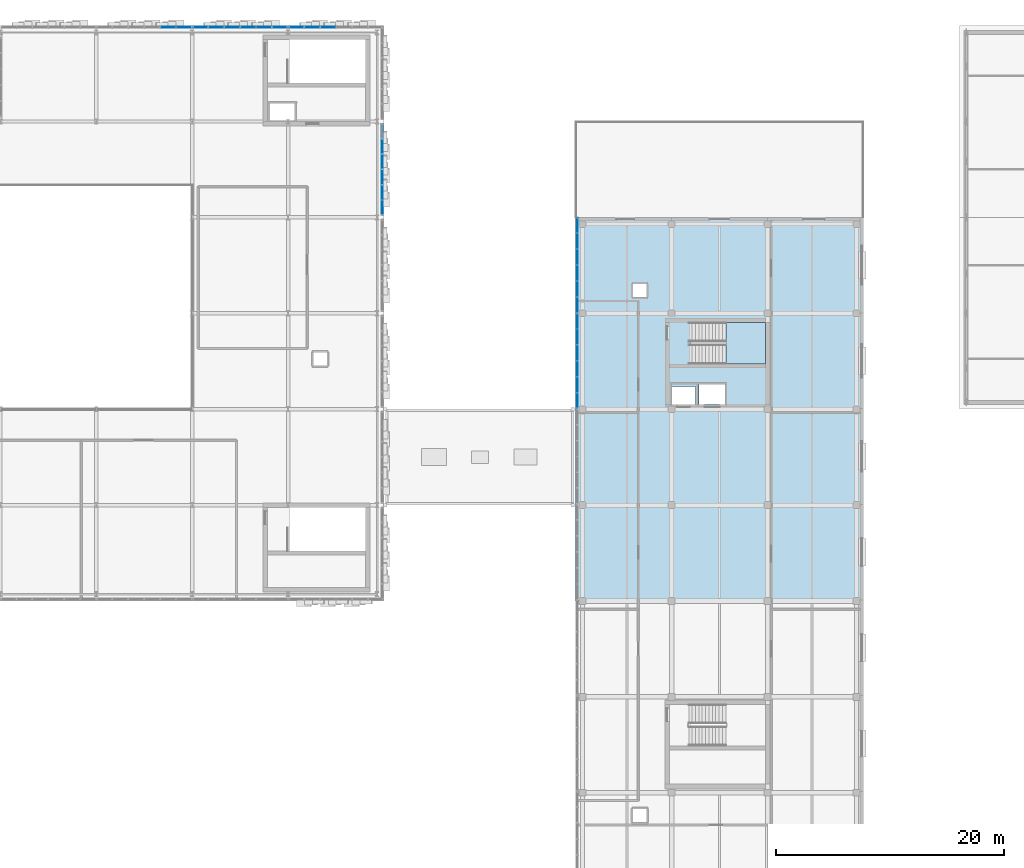
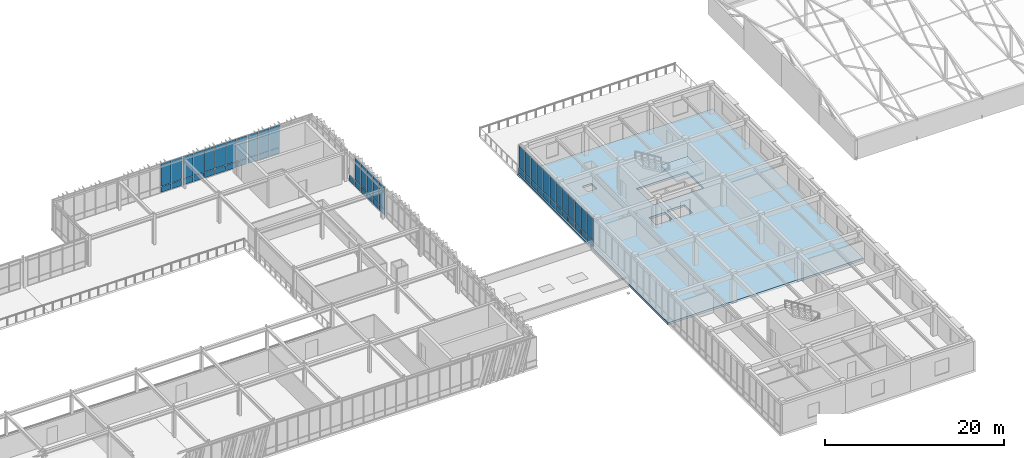
# One storey, part 93 of 123: 57 plates, 2 slabs, 7 elements without a shape of their own.
"""IFC4 building model written with IfcOpenShell, lengths in metres."""

from ifc_helpers import new_model, si_unit, direction, frame, origin, origin_2d, place, context, subcontext, project, spatial, polyline, rectangle, outline, extrude, material, layer, layer_set, type_object, element, aggregate, save


model = new_model("IFC4")

# Units and contexts
model_context = context("Model", 3, precision=1e-05, world=origin(), true_north=direction((0.0, 1.0)))
body_context = subcontext(model_context, "Body", "Model", "MODEL_VIEW")
ifc_project = project(units=[si_unit("LENGTHUNIT", "METRE"), si_unit("AREAUNIT", "SQUARE_METRE"), si_unit("VOLUMEUNIT", "CUBIC_METRE"), si_unit("PLANEANGLEUNIT", "RADIAN"), si_unit("MASSUNIT", "GRAM", prefix="KILO")], contexts=[model_context])

# Site, building, storey
site_placement = place(None, origin())
site = spatial("IfcSite", under=ifc_project, at=site_placement, CompositionType="ELEMENT")
building_placement = place(site_placement, origin())
building = spatial("IfcBuilding", under=site, at=building_placement, Name="Zayran Congress Hotel", CompositionType="ELEMENT")
storey_placement = place(building_placement, frame((0.0, 0.0, 15.0)))
storey = spatial("IfcBuildingStorey", under=building, at=storey_placement, Name="L03", CompositionType="ELEMENT", Elevation=15.0)

# Slab
ifc_material_1 = material(Name="Concrete C32/40", Category="concrete")
ifc_layer_1 = layer(ifc_material_1, 0.280029296875)
ifc_layer_set_1 = layer_set([ifc_layer_1], Name="Concrete C32/40")
slab_type_1 = type_object("IfcSlabType", Name="SL-FL-280", PredefinedType="FLOOR", material=ifc_layer_set_1)
slab_1_placement = place(storey_placement, frame((0.0, 0.0, -0.280029296875)))
element("IfcSlab", 1, at=slab_1_placement, inside=storey, type_object=slab_type_1, Name="SLB-V4-L03-025", PredefinedType="FLOOR", context=body_context, shape_type="SweptSolid", body=[
    extrude(outline(polyline([(109.199951171875, 67.60009765625), (134.39990234375, 67.60009765625), (134.39990234375, 101.199951171875), (109.199951171875, 101.199951171875), (109.199951171875, 67.60009765625)]), holes=[polyline([(119.239990234375, 88.360107421875), (125.800048828125, 88.360107421875), (125.800048828125, 92.0), (119.239990234375, 92.0), (119.239990234375, 88.360107421875)]), polyline([(117.60009765625, 84.800048828125), (119.699951171875, 84.800048828125), (119.699951171875, 86.39990234375), (117.60009765625, 86.39990234375), (117.60009765625, 84.800048828125)]), polyline([(120.0, 84.800048828125), (122.300048828125, 84.800048828125), (122.300048828125, 86.60009765625), (120.0, 86.60009765625), (120.0, 84.800048828125)]), polyline([(114.199951171875, 94.199951171875), (115.419921875, 94.199951171875), (115.419921875, 95.3798828125), (114.199951171875, 95.3798828125), (114.199951171875, 94.199951171875)])]), origin(), (0.0, 0.0, 1.0), 0.280029296875),
])

# Curtain wall, plates
ifc_material_2 = material(Name="Anodised aluminium and low-E insulated glass", Category="aluminium")
ifc_layer_2 = layer(ifc_material_2, 0.179931640625)
ifc_layer_set_2 = layer_set([ifc_layer_2], Name="Anodised aluminium and low-E insulated glass")
curtain_wall_type_1 = type_object("IfcCurtainWallType", Name="CW-V1N-L03-CW-22-8360-3980", PredefinedType="USERDEFINED", material=ifc_layer_set_2)
curtain_wall_1_placement = place(storey_placement, origin())
curtain_wall_1 = element("IfcCurtainWall", 2, at=curtain_wall_1_placement, inside=storey, type_object=curtain_wall_type_1, Name="CW-V1N-L03-7", ObjectType="CURTAIN WALL", PredefinedType="USERDEFINED")
ifc_material_3 = material(Name="Insulated warm bronze aluminium spandrel panel", Category="aluminium")
ifc_layer_3 = layer(ifc_material_3, 0.06005859375)
ifc_layer_set_3 = layer_set([ifc_layer_3], Name="Insulated warm bronze aluminium spandrel panel")
plate_type_1 = type_object("IfcPlateType", Name="CWP-SP-1273-750", PredefinedType="CURTAIN_PANEL", material=ifc_layer_set_3)
plate_1_placement = place(storey_placement, frame((74.86328125, 117.85009765625, 0.06005859375), z_axis=(0.0, 0.0, 1.0), x_axis=(1.0, 0.0, 0.0)))
plate_1 = element("IfcPlate", 3, at=plate_1_placement, type_object=plate_type_1, Name="CW-22 Spandrel Panel 1", PredefinedType="CURTAIN_PANEL", context=body_context, shape_type="SweptSolid", body=[
    extrude(rectangle(XDim=1.273193359375, YDim=0.06005859375, at=origin_2d()), origin(), (0.0, 0.0, 1.0), 0.75),
])
plate_2_placement = place(storey_placement, frame((73.489990234375, 117.85009765625, 0.06005859375), z_axis=(0.0, 0.0, 1.0), x_axis=(1.0, 0.0, 0.0)))
plate_2 = element("IfcPlate", 4, at=plate_2_placement, type_object=plate_type_1, Name="CW-22 Spandrel Panel 2", PredefinedType="CURTAIN_PANEL", context=body_context, shape_type="SweptSolid", body=[
    extrude(rectangle(XDim=1.313232421875, YDim=0.06005859375, at=origin_2d()), origin(), (0.0, 0.0, 1.0), 0.75),
])

ifc_layer_4 = layer(ifc_material_2, 0.179931640625)
ifc_layer_set_4 = layer_set([ifc_layer_4], Name="Anodised aluminium and low-E insulated glass")
curtain_wall_type_2 = type_object("IfcCurtainWallType", Name="CW-V1N-L03-CW-23-8360-3980", PredefinedType="USERDEFINED", material=ifc_layer_set_4)
curtain_wall_2_placement = place(storey_placement, origin())
curtain_wall_2 = element("IfcCurtainWall", 5, at=curtain_wall_2_placement, inside=storey, type_object=curtain_wall_type_2, Name="CW-V1N-L03-8", ObjectType="CURTAIN WALL", PredefinedType="USERDEFINED")
plate_3_placement = place(storey_placement, frame((83.26318359375, 117.85009765625, 0.06005859375), z_axis=(0.0, 0.0, 1.0), x_axis=(1.0, 0.0, 0.0)))
plate_3 = element("IfcPlate", 6, at=plate_3_placement, type_object=plate_type_1, Name="CW-23 Spandrel Panel 1", PredefinedType="CURTAIN_PANEL", context=body_context, shape_type="SweptSolid", body=[
    extrude(rectangle(XDim=1.273193359375, YDim=0.06005859375, at=origin_2d()), origin(), (0.0, 0.0, 1.0), 0.75),
])
plate_4_placement = place(storey_placement, frame((81.889892578125, 117.85009765625, 0.06005859375), z_axis=(0.0, 0.0, 1.0), x_axis=(1.0, 0.0, 0.0)))
plate_4 = element("IfcPlate", 7, at=plate_4_placement, type_object=plate_type_1, Name="CW-23 Spandrel Panel 2", PredefinedType="CURTAIN_PANEL", context=body_context, shape_type="SweptSolid", body=[
    extrude(rectangle(XDim=1.313232421875, YDim=0.06005859375, at=origin_2d()), origin(), (0.0, 0.0, 1.0), 0.75),
])
plate_5_placement = place(storey_placement, frame((80.49658203125, 117.85009765625, 0.06005859375), z_axis=(0.0, 0.0, 1.0), x_axis=(1.0, 0.0, 0.0)))
plate_5 = element("IfcPlate", 8, at=plate_5_placement, type_object=plate_type_1, Name="CW-23 Spandrel Panel 3", PredefinedType="CURTAIN_PANEL", context=body_context, shape_type="SweptSolid", body=[
    extrude(rectangle(XDim=1.313232421875, YDim=0.06005859375, at=origin_2d()), origin(), (0.0, 0.0, 1.0), 0.75),
])
plate_6_placement = place(storey_placement, frame((79.103271484375, 117.85009765625, 0.06005859375), z_axis=(0.0, 0.0, 1.0), x_axis=(1.0, 0.0, 0.0)))
plate_6 = element("IfcPlate", 9, at=plate_6_placement, type_object=plate_type_1, Name="CW-23 Spandrel Panel 4", PredefinedType="CURTAIN_PANEL", context=body_context, shape_type="SweptSolid", body=[
    extrude(rectangle(XDim=1.313232421875, YDim=0.06005859375, at=origin_2d()), origin(), (0.0, 0.0, 1.0), 0.75),
])
plate_7_placement = place(storey_placement, frame((77.7099609375, 117.85009765625, 0.06005859375), z_axis=(0.0, 0.0, 1.0), x_axis=(1.0, 0.0, 0.0)))
plate_7 = element("IfcPlate", 10, at=plate_7_placement, type_object=plate_type_1, Name="CW-23 Spandrel Panel 5", PredefinedType="CURTAIN_PANEL", context=body_context, shape_type="SweptSolid", body=[
    extrude(rectangle(XDim=1.313232421875, YDim=0.06005859375, at=origin_2d()), origin(), (0.0, 0.0, 1.0), 0.75),
])
plate_8_placement = place(storey_placement, frame((76.336669921875, 117.85009765625, 0.06005859375), z_axis=(0.0, 0.0, 1.0), x_axis=(1.0, 0.0, 0.0)))
plate_8 = element("IfcPlate", 11, at=plate_8_placement, type_object=plate_type_1, Name="CW-23 Spandrel Panel 6", PredefinedType="CURTAIN_PANEL", context=body_context, shape_type="SweptSolid", body=[
    extrude(rectangle(XDim=1.273193359375, YDim=0.06005859375, at=origin_2d()), origin(), (0.0, 0.0, 1.0), 0.75),
])

ifc_layer_5 = layer(ifc_material_2, 0.179931640625)
ifc_layer_set_5 = layer_set([ifc_layer_5], Name="Anodised aluminium and low-E insulated glass")
curtain_wall_type_3 = type_object("IfcCurtainWallType", Name="CW-V1N-L03-CW-21-8360-3980", PredefinedType="USERDEFINED", material=ifc_layer_set_5)
curtain_wall_3_placement = place(storey_placement, origin())
curtain_wall_3 = element("IfcCurtainWall", 12, at=curtain_wall_3_placement, inside=storey, type_object=curtain_wall_type_3, Name="CW-V1N-L03-9", ObjectType="CURTAIN WALL", PredefinedType="USERDEFINED")
plate_9_placement = place(storey_placement, frame((87.50341796875, 117.85009765625, 0.06005859375), z_axis=(0.0, 0.0, 1.0), x_axis=(1.0, 0.0, 0.0)))
plate_9 = element("IfcPlate", 13, at=plate_9_placement, type_object=plate_type_1, Name="CW-21 Spandrel Panel 4", PredefinedType="CURTAIN_PANEL", context=body_context, shape_type="SweptSolid", body=[
    extrude(rectangle(XDim=1.313232421875, YDim=0.06005859375, at=origin_2d()), origin(), (0.0, 0.0, 1.0), 0.75),
])
plate_10_placement = place(storey_placement, frame((86.110107421875, 117.85009765625, 0.06005859375), z_axis=(0.0, 0.0, 1.0), x_axis=(1.0, 0.0, 0.0)))
plate_10 = element("IfcPlate", 14, at=plate_10_placement, type_object=plate_type_1, Name="CW-21 Spandrel Panel 5", PredefinedType="CURTAIN_PANEL", context=body_context, shape_type="SweptSolid", body=[
    extrude(rectangle(XDim=1.313232421875, YDim=0.06005859375, at=origin_2d()), origin(), (0.0, 0.0, 1.0), 0.75),
])
plate_11_placement = place(storey_placement, frame((84.73681640625, 117.85009765625, 0.06005859375), z_axis=(0.0, 0.0, 1.0), x_axis=(1.0, 0.0, 0.0)))
plate_11 = element("IfcPlate", 15, at=plate_11_placement, type_object=plate_type_1, Name="CW-21 Spandrel Panel 6", PredefinedType="CURTAIN_PANEL", context=body_context, shape_type="SweptSolid", body=[
    extrude(rectangle(XDim=1.273193359375, YDim=0.06005859375, at=origin_2d()), origin(), (0.0, 0.0, 1.0), 0.75),
])

ifc_layer_6 = layer(ifc_material_2, 0.179931640625)
ifc_layer_set_6 = layer_set([ifc_layer_6], Name="Anodised aluminium and low-E insulated glass")
curtain_wall_type_4 = type_object("IfcCurtainWallType", Name="CW-V1E-L03-CW-41-8040-3980", PredefinedType="USERDEFINED", material=ifc_layer_set_6)
curtain_wall_4_placement = place(storey_placement, origin())
curtain_wall_4 = element("IfcCurtainWall", 16, at=curtain_wall_4_placement, inside=storey, type_object=curtain_wall_type_4, Name="CW-V1E-L03-4", ObjectType="CURTAIN WALL", PredefinedType="USERDEFINED")
ifc_layer_7 = layer(ifc_material_3, 0.06005859375)
ifc_layer_set_7 = layer_set([ifc_layer_7], Name="Insulated warm bronze aluminium spandrel panel")
plate_type_2 = type_object("IfcPlateType", Name="CWP-SP-1220-750", PredefinedType="CURTAIN_PANEL", material=ifc_layer_set_7)
plate_12_placement = place(storey_placement, frame((92.25, 102.070068359375, 0.06005859375), z_axis=(0.0, 0.0, 1.0), x_axis=(0.0, 1.0, 0.0)))
plate_12 = element("IfcPlate", 17, at=plate_12_placement, type_object=plate_type_2, Name="CW-41 Spandrel Panel 1", PredefinedType="CURTAIN_PANEL", context=body_context, shape_type="SweptSolid", body=[
    extrude(rectangle(XDim=1.219970703125, YDim=0.06005859375, at=origin_2d()), origin(), (0.0, 0.0, 1.0), 0.75),
])
plate_13_placement = place(storey_placement, frame((92.25, 103.389892578125, 0.06005859375), z_axis=(0.0, 0.0, 1.0), x_axis=(0.0, 1.0, 0.0)))
plate_13 = element("IfcPlate", 18, at=plate_13_placement, type_object=plate_type_2, Name="CW-41 Spandrel Panel 2", PredefinedType="CURTAIN_PANEL", context=body_context, shape_type="SweptSolid", body=[
    extrude(rectangle(XDim=1.260009765625, YDim=0.06005859375, at=origin_2d()), origin(), (0.0, 0.0, 1.0), 0.75),
])
plate_14_placement = place(storey_placement, frame((92.25, 104.72998046875, 0.06005859375), z_axis=(0.0, 0.0, 1.0), x_axis=(0.0, 1.0, 0.0)))
plate_14 = element("IfcPlate", 19, at=plate_14_placement, type_object=plate_type_2, Name="CW-41 Spandrel Panel 3", PredefinedType="CURTAIN_PANEL", context=body_context, shape_type="SweptSolid", body=[
    extrude(rectangle(XDim=1.260009765625, YDim=0.06005859375, at=origin_2d()), origin(), (0.0, 0.0, 1.0), 0.75),
])
plate_15_placement = place(storey_placement, frame((92.25, 106.070068359375, 0.06005859375), z_axis=(0.0, 0.0, 1.0), x_axis=(0.0, 1.0, 0.0)))
plate_15 = element("IfcPlate", 20, at=plate_15_placement, type_object=plate_type_2, Name="CW-41 Spandrel Panel 4", PredefinedType="CURTAIN_PANEL", context=body_context, shape_type="SweptSolid", body=[
    extrude(rectangle(XDim=1.260009765625, YDim=0.06005859375, at=origin_2d()), origin(), (0.0, 0.0, 1.0), 0.75),
])
plate_16_placement = place(storey_placement, frame((92.25, 107.409912109375, 0.06005859375), z_axis=(0.0, 0.0, 1.0), x_axis=(0.0, 1.0, 0.0)))
plate_16 = element("IfcPlate", 21, at=plate_16_placement, type_object=plate_type_2, Name="CW-41 Spandrel Panel 5", PredefinedType="CURTAIN_PANEL", context=body_context, shape_type="SweptSolid", body=[
    extrude(rectangle(XDim=1.260009765625, YDim=0.06005859375, at=origin_2d()), origin(), (0.0, 0.0, 1.0), 0.75),
])
plate_17_placement = place(storey_placement, frame((92.25, 108.72998046875, 0.06005859375), z_axis=(0.0, 0.0, 1.0), x_axis=(0.0, 1.0, 0.0)))
plate_17 = element("IfcPlate", 22, at=plate_17_placement, type_object=plate_type_2, Name="CW-41 Spandrel Panel 6", PredefinedType="CURTAIN_PANEL", context=body_context, shape_type="SweptSolid", body=[
    extrude(rectangle(XDim=1.219970703125, YDim=0.06005859375, at=origin_2d()), origin(), (0.0, 0.0, 1.0), 0.75),
])

# Plate
ifc_layer_8 = layer(ifc_material_2, 0.028076171875)
ifc_layer_set_8 = layer_set([ifc_layer_8], Name="Anodised aluminium and low-E insulated glass")
plate_type_3 = type_object("IfcPlateType", Name="CWP-GL-1273-3050", PredefinedType="CURTAIN_PANEL", material=ifc_layer_set_8)
plate_18_placement = place(storey_placement, frame((74.86328125, 117.85009765625, 0.8701171875), z_axis=(0.0, 0.0, 1.0), x_axis=(1.0, 0.0, 0.0)))
plate_18 = element("IfcPlate", 23, at=plate_18_placement, type_object=plate_type_3, Name="CW-22 Glazed Panel 1", PredefinedType="CURTAIN_PANEL", context=body_context, shape_type="SweptSolid", body=[
    extrude(rectangle(XDim=1.273193359375, YDim=0.028076171875, at=origin_2d()), origin(), (0.0, 0.0, 1.0), 3.050048828125),
])

plate_19_placement = place(storey_placement, frame((73.489990234375, 117.85009765625, 0.8701171875), z_axis=(0.0, 0.0, 1.0), x_axis=(1.0, 0.0, 0.0)))
plate_19 = element("IfcPlate", 24, at=plate_19_placement, type_object=plate_type_3, Name="CW-22 Glazed Panel 2", PredefinedType="CURTAIN_PANEL", context=body_context, shape_type="SweptSolid", body=[
    extrude(rectangle(XDim=1.313232421875, YDim=0.028076171875, at=origin_2d()), origin(), (0.0, 0.0, 1.0), 3.050048828125),
])

aggregate(curtain_wall_1, [plate_1, plate_18, plate_2, plate_19])

plate_20_placement = place(storey_placement, frame((83.26318359375, 117.85009765625, 0.8701171875), z_axis=(0.0, 0.0, 1.0), x_axis=(1.0, 0.0, 0.0)))
plate_20 = element("IfcPlate", 25, at=plate_20_placement, type_object=plate_type_3, Name="CW-23 Glazed Panel 1", PredefinedType="CURTAIN_PANEL", context=body_context, shape_type="SweptSolid", body=[
    extrude(rectangle(XDim=1.273193359375, YDim=0.028076171875, at=origin_2d()), origin(), (0.0, 0.0, 1.0), 3.050048828125),
])

plate_21_placement = place(storey_placement, frame((81.889892578125, 117.85009765625, 0.8701171875), z_axis=(0.0, 0.0, 1.0), x_axis=(1.0, 0.0, 0.0)))
plate_21 = element("IfcPlate", 26, at=plate_21_placement, type_object=plate_type_3, Name="CW-23 Glazed Panel 2", PredefinedType="CURTAIN_PANEL", context=body_context, shape_type="SweptSolid", body=[
    extrude(rectangle(XDim=1.313232421875, YDim=0.028076171875, at=origin_2d()), origin(), (0.0, 0.0, 1.0), 3.050048828125),
])

plate_22_placement = place(storey_placement, frame((80.49658203125, 117.85009765625, 0.8701171875), z_axis=(0.0, 0.0, 1.0), x_axis=(1.0, 0.0, 0.0)))
plate_22 = element("IfcPlate", 27, at=plate_22_placement, type_object=plate_type_3, Name="CW-23 Glazed Panel 3", PredefinedType="CURTAIN_PANEL", context=body_context, shape_type="SweptSolid", body=[
    extrude(rectangle(XDim=1.313232421875, YDim=0.028076171875, at=origin_2d()), origin(), (0.0, 0.0, 1.0), 3.050048828125),
])

plate_23_placement = place(storey_placement, frame((79.103271484375, 117.85009765625, 0.8701171875), z_axis=(0.0, 0.0, 1.0), x_axis=(1.0, 0.0, 0.0)))
plate_23 = element("IfcPlate", 28, at=plate_23_placement, type_object=plate_type_3, Name="CW-23 Glazed Panel 4", PredefinedType="CURTAIN_PANEL", context=body_context, shape_type="SweptSolid", body=[
    extrude(rectangle(XDim=1.313232421875, YDim=0.028076171875, at=origin_2d()), origin(), (0.0, 0.0, 1.0), 3.050048828125),
])

plate_24_placement = place(storey_placement, frame((77.7099609375, 117.85009765625, 0.8701171875), z_axis=(0.0, 0.0, 1.0), x_axis=(1.0, 0.0, 0.0)))
plate_24 = element("IfcPlate", 29, at=plate_24_placement, type_object=plate_type_3, Name="CW-23 Glazed Panel 5", PredefinedType="CURTAIN_PANEL", context=body_context, shape_type="SweptSolid", body=[
    extrude(rectangle(XDim=1.313232421875, YDim=0.028076171875, at=origin_2d()), origin(), (0.0, 0.0, 1.0), 3.050048828125),
])

plate_25_placement = place(storey_placement, frame((76.336669921875, 117.85009765625, 0.8701171875), z_axis=(0.0, 0.0, 1.0), x_axis=(1.0, 0.0, 0.0)))
plate_25 = element("IfcPlate", 30, at=plate_25_placement, type_object=plate_type_3, Name="CW-23 Glazed Panel 6", PredefinedType="CURTAIN_PANEL", context=body_context, shape_type="SweptSolid", body=[
    extrude(rectangle(XDim=1.273193359375, YDim=0.028076171875, at=origin_2d()), origin(), (0.0, 0.0, 1.0), 3.050048828125),
])

aggregate(curtain_wall_2, [plate_3, plate_20, plate_4, plate_21, plate_5, plate_22, plate_6, plate_23, plate_7, plate_24, plate_8, plate_25])

plate_26_placement = place(storey_placement, frame((87.50341796875, 117.85009765625, 0.8701171875), z_axis=(0.0, 0.0, 1.0), x_axis=(1.0, 0.0, 0.0)))
plate_26 = element("IfcPlate", 31, at=plate_26_placement, type_object=plate_type_3, Name="CW-21 Glazed Panel 4", PredefinedType="CURTAIN_PANEL", context=body_context, shape_type="SweptSolid", body=[
    extrude(rectangle(XDim=1.313232421875, YDim=0.028076171875, at=origin_2d()), origin(), (0.0, 0.0, 1.0), 3.050048828125),
])

plate_27_placement = place(storey_placement, frame((86.110107421875, 117.85009765625, 0.8701171875), z_axis=(0.0, 0.0, 1.0), x_axis=(1.0, 0.0, 0.0)))
plate_27 = element("IfcPlate", 32, at=plate_27_placement, type_object=plate_type_3, Name="CW-21 Glazed Panel 5", PredefinedType="CURTAIN_PANEL", context=body_context, shape_type="SweptSolid", body=[
    extrude(rectangle(XDim=1.313232421875, YDim=0.028076171875, at=origin_2d()), origin(), (0.0, 0.0, 1.0), 3.050048828125),
])

plate_28_placement = place(storey_placement, frame((84.73681640625, 117.85009765625, 0.8701171875), z_axis=(0.0, 0.0, 1.0), x_axis=(1.0, 0.0, 0.0)))
plate_28 = element("IfcPlate", 33, at=plate_28_placement, type_object=plate_type_3, Name="CW-21 Glazed Panel 6", PredefinedType="CURTAIN_PANEL", context=body_context, shape_type="SweptSolid", body=[
    extrude(rectangle(XDim=1.273193359375, YDim=0.028076171875, at=origin_2d()), origin(), (0.0, 0.0, 1.0), 3.050048828125),
])

aggregate(curtain_wall_3, [plate_9, plate_26, plate_10, plate_27, plate_11, plate_28])

ifc_layer_9 = layer(ifc_material_2, 0.028076171875)
ifc_layer_set_9 = layer_set([ifc_layer_9], Name="Anodised aluminium and low-E insulated glass")
plate_type_4 = type_object("IfcPlateType", Name="CWP-GL-1220-3050", PredefinedType="CURTAIN_PANEL", material=ifc_layer_set_9)
plate_29_placement = place(storey_placement, frame((92.25, 102.070068359375, 0.8701171875), z_axis=(0.0, 0.0, 1.0), x_axis=(0.0, 1.0, 0.0)))
plate_29 = element("IfcPlate", 34, at=plate_29_placement, type_object=plate_type_4, Name="CW-41 Glazed Panel 1", PredefinedType="CURTAIN_PANEL", context=body_context, shape_type="SweptSolid", body=[
    extrude(rectangle(XDim=1.219970703125, YDim=0.028076171875, at=origin_2d()), origin(), (0.0, 0.0, 1.0), 3.050048828125),
])

plate_30_placement = place(storey_placement, frame((92.25, 103.389892578125, 0.8701171875), z_axis=(0.0, 0.0, 1.0), x_axis=(0.0, 1.0, 0.0)))
plate_30 = element("IfcPlate", 35, at=plate_30_placement, type_object=plate_type_4, Name="CW-41 Glazed Panel 2", PredefinedType="CURTAIN_PANEL", context=body_context, shape_type="SweptSolid", body=[
    extrude(rectangle(XDim=1.260009765625, YDim=0.028076171875, at=origin_2d()), origin(), (0.0, 0.0, 1.0), 3.050048828125),
])

plate_31_placement = place(storey_placement, frame((92.25, 104.72998046875, 0.8701171875), z_axis=(0.0, 0.0, 1.0), x_axis=(0.0, 1.0, 0.0)))
plate_31 = element("IfcPlate", 36, at=plate_31_placement, type_object=plate_type_4, Name="CW-41 Glazed Panel 3", PredefinedType="CURTAIN_PANEL", context=body_context, shape_type="SweptSolid", body=[
    extrude(rectangle(XDim=1.260009765625, YDim=0.028076171875, at=origin_2d()), origin(), (0.0, 0.0, 1.0), 3.050048828125),
])

plate_32_placement = place(storey_placement, frame((92.25, 106.070068359375, 0.8701171875), z_axis=(0.0, 0.0, 1.0), x_axis=(0.0, 1.0, 0.0)))
plate_32 = element("IfcPlate", 37, at=plate_32_placement, type_object=plate_type_4, Name="CW-41 Glazed Panel 4", PredefinedType="CURTAIN_PANEL", context=body_context, shape_type="SweptSolid", body=[
    extrude(rectangle(XDim=1.260009765625, YDim=0.028076171875, at=origin_2d()), origin(), (0.0, 0.0, 1.0), 3.050048828125),
])

plate_33_placement = place(storey_placement, frame((92.25, 107.409912109375, 0.8701171875), z_axis=(0.0, 0.0, 1.0), x_axis=(0.0, 1.0, 0.0)))
plate_33 = element("IfcPlate", 38, at=plate_33_placement, type_object=plate_type_4, Name="CW-41 Glazed Panel 5", PredefinedType="CURTAIN_PANEL", context=body_context, shape_type="SweptSolid", body=[
    extrude(rectangle(XDim=1.260009765625, YDim=0.028076171875, at=origin_2d()), origin(), (0.0, 0.0, 1.0), 3.050048828125),
])

aggregate(curtain_wall_4, [plate_12, plate_29, plate_13, plate_30, plate_14, plate_31, plate_15, plate_32, plate_16, plate_33, plate_17])

# Curtain wall, plates
ifc_layer_10 = layer(ifc_material_2, 0.179931640625)
ifc_layer_set_10 = layer_set([ifc_layer_10], Name="Anodised aluminium and low-E insulated glass")
curtain_wall_type_5 = type_object("IfcCurtainWallType", Name="CW-V4W-L03-CW-51-8374-3920", PredefinedType="USERDEFINED", material=ifc_layer_set_10)
curtain_wall_5_placement = place(storey_placement, origin())
curtain_wall_5 = element("IfcCurtainWall", 39, at=curtain_wall_5_placement, inside=storey, type_object=curtain_wall_type_5, Name="CW-V4W-L03-6", ObjectType="CURTAIN WALL", PredefinedType="USERDEFINED")
ifc_layer_11 = layer(ifc_material_3, 0.06005859375)
ifc_layer_set_11 = layer_set([ifc_layer_11], Name="Insulated warm bronze aluminium spandrel panel")
plate_type_5 = type_object("IfcPlateType", Name="CWP-SP-1276-750", PredefinedType="CURTAIN_PANEL", material=ifc_layer_set_11)
plate_34_placement = place(storey_placement, frame((109.35009765625, 100.482177734375, 0.06005859375), z_axis=(0.0, 0.0, 1.0), x_axis=(0.0, 1.0, 0.0)))
plate_34 = element("IfcPlate", 40, at=plate_34_placement, type_object=plate_type_5, Name="CW-51 Spandrel Panel 1", PredefinedType="CURTAIN_PANEL", context=body_context, shape_type="SweptSolid", body=[
    extrude(rectangle(XDim=1.275634765625, YDim=0.06005859375, at=origin_2d()), origin(), (0.0, 0.0, 1.0), 0.75),
])
plate_35_placement = place(storey_placement, frame((109.35009765625, 99.1064453125, 0.06005859375), z_axis=(0.0, 0.0, 1.0), x_axis=(0.0, 1.0, 0.0)))
plate_35 = element("IfcPlate", 41, at=plate_35_placement, type_object=plate_type_5, Name="CW-51 Spandrel Panel 2", PredefinedType="CURTAIN_PANEL", context=body_context, shape_type="SweptSolid", body=[
    extrude(rectangle(XDim=1.315673828125, YDim=0.06005859375, at=origin_2d()), origin(), (0.0, 0.0, 1.0), 0.75),
])
plate_36_placement = place(storey_placement, frame((109.35009765625, 97.710693359375, 0.06005859375), z_axis=(0.0, 0.0, 1.0), x_axis=(0.0, 1.0, 0.0)))
plate_36 = element("IfcPlate", 42, at=plate_36_placement, type_object=plate_type_5, Name="CW-51 Spandrel Panel 3", PredefinedType="CURTAIN_PANEL", context=body_context, shape_type="SweptSolid", body=[
    extrude(rectangle(XDim=1.315673828125, YDim=0.06005859375, at=origin_2d()), origin(), (0.0, 0.0, 1.0), 0.75),
])
plate_37_placement = place(storey_placement, frame((109.35009765625, 96.315185546875, 0.06005859375), z_axis=(0.0, 0.0, 1.0), x_axis=(0.0, 1.0, 0.0)))
plate_37 = element("IfcPlate", 43, at=plate_37_placement, type_object=plate_type_5, Name="CW-51 Spandrel Panel 4", PredefinedType="CURTAIN_PANEL", context=body_context, shape_type="SweptSolid", body=[
    extrude(rectangle(XDim=1.315673828125, YDim=0.06005859375, at=origin_2d()), origin(), (0.0, 0.0, 1.0), 0.75),
])
plate_38_placement = place(storey_placement, frame((109.35009765625, 94.91943359375, 0.06005859375), z_axis=(0.0, 0.0, 1.0), x_axis=(0.0, 1.0, 0.0)))
plate_38 = element("IfcPlate", 44, at=plate_38_placement, type_object=plate_type_5, Name="CW-51 Spandrel Panel 5", PredefinedType="CURTAIN_PANEL", context=body_context, shape_type="SweptSolid", body=[
    extrude(rectangle(XDim=1.315673828125, YDim=0.06005859375, at=origin_2d()), origin(), (0.0, 0.0, 1.0), 0.75),
])
plate_39_placement = place(storey_placement, frame((109.35009765625, 93.543701171875, 0.06005859375), z_axis=(0.0, 0.0, 1.0), x_axis=(0.0, 1.0, 0.0)))
plate_39 = element("IfcPlate", 45, at=plate_39_placement, type_object=plate_type_5, Name="CW-51 Spandrel Panel 6", PredefinedType="CURTAIN_PANEL", context=body_context, shape_type="SweptSolid", body=[
    extrude(rectangle(XDim=1.275634765625, YDim=0.06005859375, at=origin_2d()), origin(), (0.0, 0.0, 1.0), 0.75),
])

ifc_layer_12 = layer(ifc_material_2, 0.179931640625)
ifc_layer_set_12 = layer_set([ifc_layer_12], Name="Anodised aluminium and low-E insulated glass")
curtain_wall_type_6 = type_object("IfcCurtainWallType", Name="CW-V4W-L03-CW-53-8368-3920", PredefinedType="USERDEFINED", material=ifc_layer_set_12)
curtain_wall_6_placement = place(storey_placement, origin())
curtain_wall_6 = element("IfcCurtainWall", 46, at=curtain_wall_6_placement, inside=storey, type_object=curtain_wall_type_6, Name="CW-V4W-L03-5", ObjectType="CURTAIN WALL", PredefinedType="USERDEFINED")
ifc_layer_13 = layer(ifc_material_3, 0.06005859375)
ifc_layer_set_13 = layer_set([ifc_layer_13], Name="Insulated warm bronze aluminium spandrel panel")
plate_type_6 = type_object("IfcPlateType", Name="CWP-SP-1275-750", PredefinedType="CURTAIN_PANEL", material=ifc_layer_set_13)
plate_40_placement = place(storey_placement, frame((109.35009765625, 92.0986328125, 0.06005859375), z_axis=(0.0, 0.0, 1.0), x_axis=(0.0, 1.0, 0.0)))
plate_40 = element("IfcPlate", 47, at=plate_40_placement, type_object=plate_type_6, Name="CW-53 Spandrel Panel 1", PredefinedType="CURTAIN_PANEL", context=body_context, shape_type="SweptSolid", body=[
    extrude(rectangle(XDim=1.274658203125, YDim=0.06005859375, at=origin_2d()), origin(), (0.0, 0.0, 1.0), 0.75),
])
plate_41_placement = place(storey_placement, frame((109.35009765625, 90.72412109375, 0.06005859375), z_axis=(0.0, 0.0, 1.0), x_axis=(0.0, 1.0, 0.0)))
plate_41 = element("IfcPlate", 48, at=plate_41_placement, type_object=plate_type_6, Name="CW-53 Spandrel Panel 2", PredefinedType="CURTAIN_PANEL", context=body_context, shape_type="SweptSolid", body=[
    extrude(rectangle(XDim=1.314697265625, YDim=0.06005859375, at=origin_2d()), origin(), (0.0, 0.0, 1.0), 0.75),
])
plate_42_placement = place(storey_placement, frame((109.35009765625, 89.329345703125, 0.06005859375), z_axis=(0.0, 0.0, 1.0), x_axis=(0.0, 1.0, 0.0)))
plate_42 = element("IfcPlate", 49, at=plate_42_placement, type_object=plate_type_6, Name="CW-53 Spandrel Panel 3", PredefinedType="CURTAIN_PANEL", context=body_context, shape_type="SweptSolid", body=[
    extrude(rectangle(XDim=1.314697265625, YDim=0.06005859375, at=origin_2d()), origin(), (0.0, 0.0, 1.0), 0.75),
])
plate_43_placement = place(storey_placement, frame((109.35009765625, 87.934814453125, 0.06005859375), z_axis=(0.0, 0.0, 1.0), x_axis=(0.0, 1.0, 0.0)))
plate_43 = element("IfcPlate", 50, at=plate_43_placement, type_object=plate_type_6, Name="CW-53 Spandrel Panel 4", PredefinedType="CURTAIN_PANEL", context=body_context, shape_type="SweptSolid", body=[
    extrude(rectangle(XDim=1.314697265625, YDim=0.06005859375, at=origin_2d()), origin(), (0.0, 0.0, 1.0), 0.75),
])
plate_44_placement = place(storey_placement, frame((109.35009765625, 86.5400390625, 0.06005859375), z_axis=(0.0, 0.0, 1.0), x_axis=(0.0, 1.0, 0.0)))
plate_44 = element("IfcPlate", 51, at=plate_44_placement, type_object=plate_type_6, Name="CW-53 Spandrel Panel 5", PredefinedType="CURTAIN_PANEL", context=body_context, shape_type="SweptSolid", body=[
    extrude(rectangle(XDim=1.314697265625, YDim=0.06005859375, at=origin_2d()), origin(), (0.0, 0.0, 1.0), 0.75),
])
plate_45_placement = place(storey_placement, frame((109.35009765625, 85.165283203125, 0.06005859375), z_axis=(0.0, 0.0, 1.0), x_axis=(0.0, 1.0, 0.0)))
plate_45 = element("IfcPlate", 52, at=plate_45_placement, type_object=plate_type_6, Name="CW-53 Spandrel Panel 6", PredefinedType="CURTAIN_PANEL", context=body_context, shape_type="SweptSolid", body=[
    extrude(rectangle(XDim=1.274658203125, YDim=0.06005859375, at=origin_2d()), origin(), (0.0, 0.0, 1.0), 0.75),
])

# Plate
ifc_layer_14 = layer(ifc_material_2, 0.028076171875)
ifc_layer_set_14 = layer_set([ifc_layer_14], Name="Anodised aluminium and low-E insulated glass")
plate_type_7 = type_object("IfcPlateType", Name="CWP-GL-1276-2990", PredefinedType="CURTAIN_PANEL", material=ifc_layer_set_14)
plate_46_placement = place(storey_placement, frame((109.35009765625, 100.482177734375, 0.8701171875), z_axis=(0.0, 0.0, 1.0), x_axis=(0.0, 1.0, 0.0)))
plate_46 = element("IfcPlate", 53, at=plate_46_placement, type_object=plate_type_7, Name="CW-51 Glazed Panel 1", PredefinedType="CURTAIN_PANEL", context=body_context, shape_type="SweptSolid", body=[
    extrude(rectangle(XDim=1.275634765625, YDim=0.028076171875, at=origin_2d()), origin(), (0.0, 0.0, 1.0), 2.989990234375),
])

plate_47_placement = place(storey_placement, frame((109.35009765625, 99.1064453125, 0.8701171875), z_axis=(0.0, 0.0, 1.0), x_axis=(0.0, 1.0, 0.0)))
plate_47 = element("IfcPlate", 54, at=plate_47_placement, type_object=plate_type_7, Name="CW-51 Glazed Panel 2", PredefinedType="CURTAIN_PANEL", context=body_context, shape_type="SweptSolid", body=[
    extrude(rectangle(XDim=1.315673828125, YDim=0.028076171875, at=origin_2d()), origin(), (0.0, 0.0, 1.0), 2.989990234375),
])

plate_48_placement = place(storey_placement, frame((109.35009765625, 97.710693359375, 0.8701171875), z_axis=(0.0, 0.0, 1.0), x_axis=(0.0, 1.0, 0.0)))
plate_48 = element("IfcPlate", 55, at=plate_48_placement, type_object=plate_type_7, Name="CW-51 Glazed Panel 3", PredefinedType="CURTAIN_PANEL", context=body_context, shape_type="SweptSolid", body=[
    extrude(rectangle(XDim=1.315673828125, YDim=0.028076171875, at=origin_2d()), origin(), (0.0, 0.0, 1.0), 2.989990234375),
])

plate_49_placement = place(storey_placement, frame((109.35009765625, 96.315185546875, 0.8701171875), z_axis=(0.0, 0.0, 1.0), x_axis=(0.0, 1.0, 0.0)))
plate_49 = element("IfcPlate", 56, at=plate_49_placement, type_object=plate_type_7, Name="CW-51 Glazed Panel 4", PredefinedType="CURTAIN_PANEL", context=body_context, shape_type="SweptSolid", body=[
    extrude(rectangle(XDim=1.315673828125, YDim=0.028076171875, at=origin_2d()), origin(), (0.0, 0.0, 1.0), 2.989990234375),
])

plate_50_placement = place(storey_placement, frame((109.35009765625, 94.91943359375, 0.8701171875), z_axis=(0.0, 0.0, 1.0), x_axis=(0.0, 1.0, 0.0)))
plate_50 = element("IfcPlate", 57, at=plate_50_placement, type_object=plate_type_7, Name="CW-51 Glazed Panel 5", PredefinedType="CURTAIN_PANEL", context=body_context, shape_type="SweptSolid", body=[
    extrude(rectangle(XDim=1.315673828125, YDim=0.028076171875, at=origin_2d()), origin(), (0.0, 0.0, 1.0), 2.989990234375),
])

plate_51_placement = place(storey_placement, frame((109.35009765625, 93.543701171875, 0.8701171875), z_axis=(0.0, 0.0, 1.0), x_axis=(0.0, 1.0, 0.0)))
plate_51 = element("IfcPlate", 58, at=plate_51_placement, type_object=plate_type_7, Name="CW-51 Glazed Panel 6", PredefinedType="CURTAIN_PANEL", context=body_context, shape_type="SweptSolid", body=[
    extrude(rectangle(XDim=1.275634765625, YDim=0.028076171875, at=origin_2d()), origin(), (0.0, 0.0, 1.0), 2.989990234375),
])

aggregate(curtain_wall_5, [plate_34, plate_46, plate_35, plate_47, plate_36, plate_48, plate_37, plate_49, plate_38, plate_50, plate_39, plate_51])

ifc_layer_15 = layer(ifc_material_2, 0.028076171875)
ifc_layer_set_15 = layer_set([ifc_layer_15], Name="Anodised aluminium and low-E insulated glass")
plate_type_8 = type_object("IfcPlateType", Name="CWP-GL-1275-2990", PredefinedType="CURTAIN_PANEL", material=ifc_layer_set_15)
plate_52_placement = place(storey_placement, frame((109.35009765625, 92.0986328125, 0.8701171875), z_axis=(0.0, 0.0, 1.0), x_axis=(0.0, 1.0, 0.0)))
plate_52 = element("IfcPlate", 59, at=plate_52_placement, type_object=plate_type_8, Name="CW-53 Glazed Panel 1", PredefinedType="CURTAIN_PANEL", context=body_context, shape_type="SweptSolid", body=[
    extrude(rectangle(XDim=1.274658203125, YDim=0.028076171875, at=origin_2d()), origin(), (0.0, 0.0, 1.0), 2.989990234375),
])

plate_53_placement = place(storey_placement, frame((109.35009765625, 90.72412109375, 0.8701171875), z_axis=(0.0, 0.0, 1.0), x_axis=(0.0, 1.0, 0.0)))
plate_53 = element("IfcPlate", 60, at=plate_53_placement, type_object=plate_type_8, Name="CW-53 Glazed Panel 2", PredefinedType="CURTAIN_PANEL", context=body_context, shape_type="SweptSolid", body=[
    extrude(rectangle(XDim=1.314697265625, YDim=0.028076171875, at=origin_2d()), origin(), (0.0, 0.0, 1.0), 2.989990234375),
])

plate_54_placement = place(storey_placement, frame((109.35009765625, 89.329345703125, 0.8701171875), z_axis=(0.0, 0.0, 1.0), x_axis=(0.0, 1.0, 0.0)))
plate_54 = element("IfcPlate", 61, at=plate_54_placement, type_object=plate_type_8, Name="CW-53 Glazed Panel 3", PredefinedType="CURTAIN_PANEL", context=body_context, shape_type="SweptSolid", body=[
    extrude(rectangle(XDim=1.314697265625, YDim=0.028076171875, at=origin_2d()), origin(), (0.0, 0.0, 1.0), 2.989990234375),
])

plate_55_placement = place(storey_placement, frame((109.35009765625, 87.934814453125, 0.8701171875), z_axis=(0.0, 0.0, 1.0), x_axis=(0.0, 1.0, 0.0)))
plate_55 = element("IfcPlate", 62, at=plate_55_placement, type_object=plate_type_8, Name="CW-53 Glazed Panel 4", PredefinedType="CURTAIN_PANEL", context=body_context, shape_type="SweptSolid", body=[
    extrude(rectangle(XDim=1.314697265625, YDim=0.028076171875, at=origin_2d()), origin(), (0.0, 0.0, 1.0), 2.989990234375),
])

plate_56_placement = place(storey_placement, frame((109.35009765625, 86.5400390625, 0.8701171875), z_axis=(0.0, 0.0, 1.0), x_axis=(0.0, 1.0, 0.0)))
plate_56 = element("IfcPlate", 63, at=plate_56_placement, type_object=plate_type_8, Name="CW-53 Glazed Panel 5", PredefinedType="CURTAIN_PANEL", context=body_context, shape_type="SweptSolid", body=[
    extrude(rectangle(XDim=1.314697265625, YDim=0.028076171875, at=origin_2d()), origin(), (0.0, 0.0, 1.0), 2.989990234375),
])

plate_57_placement = place(storey_placement, frame((109.35009765625, 85.165283203125, 0.8701171875), z_axis=(0.0, 0.0, 1.0), x_axis=(0.0, 1.0, 0.0)))
plate_57 = element("IfcPlate", 64, at=plate_57_placement, type_object=plate_type_8, Name="CW-53 Glazed Panel 6", PredefinedType="CURTAIN_PANEL", context=body_context, shape_type="SweptSolid", body=[
    extrude(rectangle(XDim=1.274658203125, YDim=0.028076171875, at=origin_2d()), origin(), (0.0, 0.0, 1.0), 2.989990234375),
])

aggregate(curtain_wall_6, [plate_40, plate_52, plate_41, plate_53, plate_42, plate_54, plate_43, plate_55, plate_44, plate_56, plate_45, plate_57])

# Stair, slab
stair_type = type_object("IfcStairType", Name="TP-STR-1700-42", PredefinedType="USERDEFINED", material=ifc_material_1)
stair_placement = place(storey_placement, origin())
stair = element("IfcStair", 65, at=stair_placement, inside=storey, type_object=stair_type, Name="L03 ST-07", ObjectType="TWO_RETURN_STAIR", PredefinedType="USERDEFINED")
ifc_layer_16 = layer(ifc_material_1, 0.199951171875)
ifc_layer_set_16 = layer_set([ifc_layer_16], Name="Concrete C32/40")
slab_type_2 = type_object("IfcSlabType", Name="TP-LND-1700", PredefinedType="LANDING", material=ifc_layer_set_16)
slab_2_placement = place(storey_placement, frame((0.0, 0.0, 1.89990234375)))
slab_2 = element("IfcSlab", 66, at=slab_2_placement, type_object=slab_type_2, Name="ST-07 landing 1", PredefinedType="LANDING", context=body_context, shape_type="SweptSolid", body=[
    extrude(outline(polyline([(122.344970703125, 88.360107421875), (125.800048828125, 88.360107421875), (125.800048828125, 92.0), (122.344970703125, 92.0), (122.344970703125, 88.360107421875)])), origin(), (0.0, 0.0, 1.0), 0.2001953125),
])
aggregate(stair, [slab_2])

save(model, "model.ifc")
